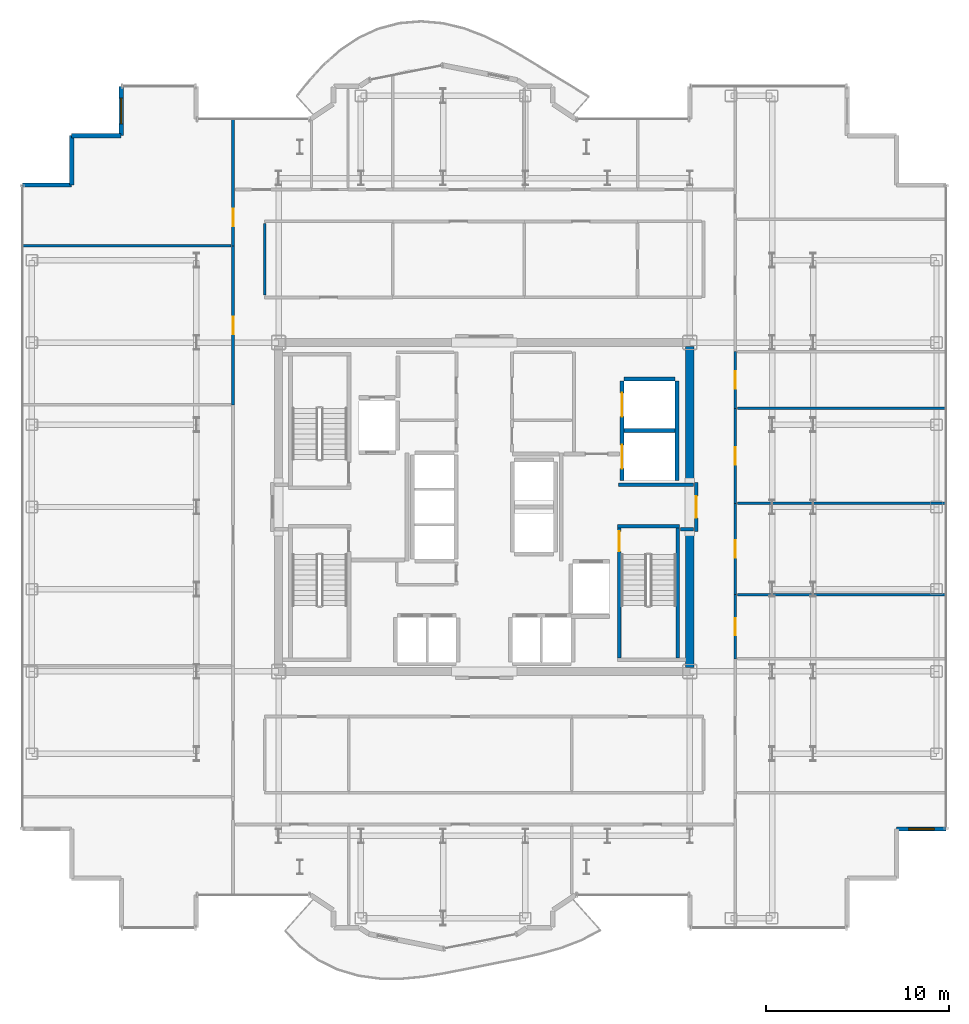
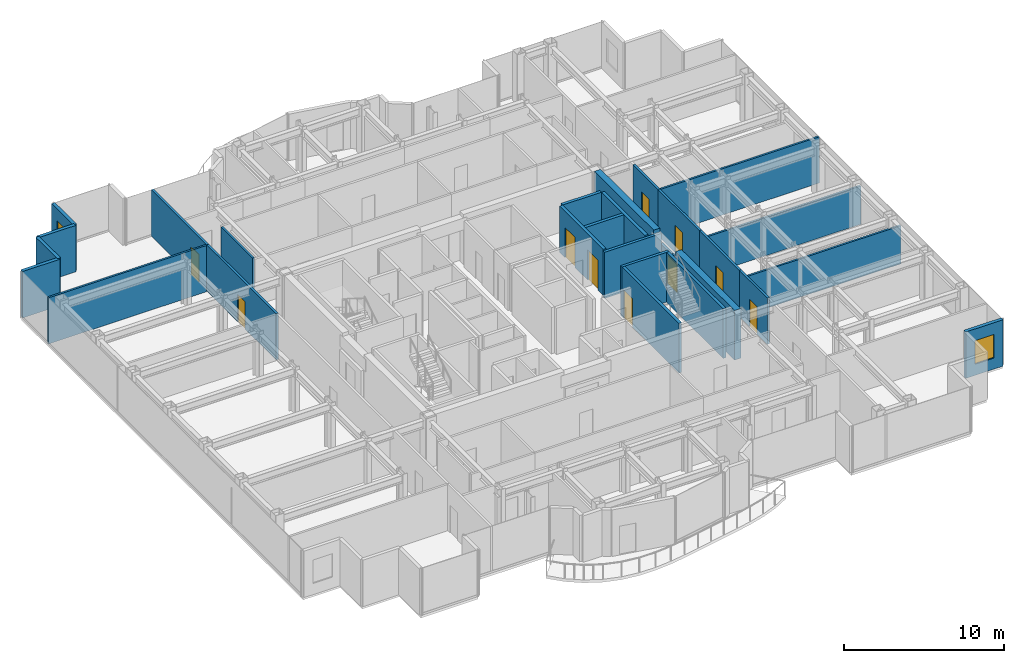
# One storey, part 17 of 21: 28 walls, 10 doors, 2 windows, 12 openings.
"""IFC4 building model written with IfcOpenShell, lengths in metres."""

from ifc_helpers import new_model, si_unit, direction, frame, frame_2d, origin, place, context, subcontext, project, spatial, rectangle, extrude, source, transform, mapped, material, layer, layer_set, type_object, element, fill, save


model = new_model("IFC4")

# Units and contexts
model_context = context("Model", 3, precision=1e-05, world=origin(), true_north=direction((0.0, 1.0)))
body_context = subcontext(model_context, "Body", "Model", "MODEL_VIEW")
ifc_project = project(units=[si_unit("LENGTHUNIT", "METRE"), si_unit("AREAUNIT", "SQUARE_METRE"), si_unit("VOLUMEUNIT", "CUBIC_METRE"), si_unit("PLANEANGLEUNIT", "RADIAN"), si_unit("MASSUNIT", "GRAM", prefix="KILO")], contexts=[model_context])

# Site, building, storey
site_placement = place(None, origin())
site = spatial("IfcSite", under=ifc_project, at=site_placement, CompositionType="ELEMENT")
building_placement = place(site_placement, origin())
building = spatial("IfcBuilding", under=site, at=building_placement, Name="Nefas-Gora Pilgrimage Tower", CompositionType="ELEMENT")
storey_placement = place(building_placement, frame((0.0, 0.0, 248.39990234375)))
storey = spatial("IfcBuildingStorey", under=building, at=storey_placement, Name="L62", CompositionType="ELEMENT", Elevation=248.39990234375)

# Walls
ifc_material_1 = material(Name="Concrete C50/60", Category="concrete")
ifc_layer_1 = layer(ifc_material_1, 0.449951171875)
ifc_layer_set_1 = layer_set([ifc_layer_1], Name="Concrete C50/60")
wall_type_1 = type_object("IfcWallType", Name="SW-CORE-450", PredefinedType="SHEAR", material=ifc_layer_set_1)
shared_shape_1 = source(origin(), body_context, "Body", "SweptSolid", [
    extrude(rectangle(XDim=7.4248046875, YDim=0.449951171875, at=frame_2d((3.71240234375, 0.0))), origin(), (0.0, 0.0, 1.0), 3.800048828125),
])
for number, where, z_axis, x_axis, name in (
    (1, (11.25, -8.77490234375, 0.0), (0.0, 0.0, 1.0), (0.0, 1.0, 0.0), "L62 Core Shear Wall E-South"),
    (2, (11.25, 1.35009765625, 0.0), (0.0, 0.0, 1.0), (0.0, 1.0, 0.0), "L62 Core Shear Wall E-North"),
):
    element("IfcWall", number, at=place(storey_placement, frame(where, z_axis=z_axis, x_axis=x_axis)), inside=storey, type_object=wall_type_1, Name=name, PredefinedType="SHEAR", context=body_context, shape_type="MappedRepresentation", body=[
        mapped(shared_shape_1, transform((0.0, 0.0, 0.0), x_axis=(1.0, 0.0, 0.0), y_axis=(0.0, 1.0, 0.0), z_axis=(0.0, 0.0, 1.0), scale=1.0)),
    ])

# Wall, opening, window
ifc_material_2 = material(Name="Precast concrete C45/55", Category="concrete")
ifc_layer_2 = layer(ifc_material_2, 0.239990234375)
ifc_layer_set_2 = layer_set([ifc_layer_2], Name="Precast concrete C45/55")
wall_type_2 = type_object("IfcWallType", Name="EW-SERR-240", PredefinedType="SHEAR", material=ifc_layer_set_2)
shared_shape_2 = source(origin(), body_context, "Body", "SweptSolid", [
    extrude(rectangle(XDim=2.699951171875, YDim=0.239990234375, at=frame_2d((1.35009765625, 0.0))), origin(), (0.0, 0.0, 1.0), 3.550048828125),
])
wall_1_placement = place(storey_placement, frame((22.570068359375, -17.6201171875, 0.0), z_axis=(0.0, 0.0, 1.0), x_axis=(1.0, 0.0, 0.0)))
wall_1 = element("IfcWall", 3, at=wall_1_placement, inside=storey, type_object=wall_type_2, Name="L62 Serrated Corner Shear Pier Wall 5", PredefinedType="SHEAR", context=body_context, shape_type="MappedRepresentation", body=[
    mapped(shared_shape_2, transform((0.0, 0.0, 0.0), x_axis=(1.0, 0.0, 0.0), y_axis=(0.0, 1.0, 0.0), z_axis=(0.0, 0.0, 1.0), scale=1.0)),
])
opening_1_placement = place(wall_1_placement, frame((0.64990234375, 0.0, 0.85009765625)))
opening_1 = element("IfcOpeningElement", 4, at=opening_1_placement, cuts=wall_1, Name="Opening W-V2", PredefinedType="OPENING", context=body_context, shape_type="SweptSolid", body=[
    extrude(rectangle(XDim=1.39990234375, YDim=1.800048828125, at=frame_2d((0.699951171875, 0.89990234375))), frame((0.0, 0.1298828125, 0.0), z_axis=(0.0, -1.0, 0.0), x_axis=(1.0, 0.0, 0.0)), (0.0, 0.0, 1.0), 0.260009765625),
])
ifc_material_3 = material(Name="Dark ceramic-fritted operable aluminium-glass window", Category="aluminium")
window_type = type_object("IfcWindowType", Name="WIN-VENT-1400x1800", PartitioningType="SINGLE_PANEL", PredefinedType="WINDOW", material=ifc_material_3)
shared_shape_3 = source(origin(), body_context, "Body", "SweptSolid", [
    extrude(rectangle(XDim=1.39990234375, YDim=1.800048828125, at=frame_2d((0.699951171875, 0.89990234375))), frame((0.0, 0.030029296875, 0.0), z_axis=(0.0, -1.0, 0.0), x_axis=(1.0, 0.0, 0.0)), (0.0, 0.0, 1.0), 0.06005859375),
])
window_1_placement = place(opening_1_placement, origin())
window_1 = element("IfcWindow", 5, at=window_1_placement, inside=storey, type_object=window_type, Name="L62 Operable Parallel-Outswing Window 5", OverallHeight=1.800048828125, OverallWidth=1.39990234375, PartitioningType="SINGLE_PANEL", PredefinedType="WINDOW", context=body_context, shape_type="MappedRepresentation", body=[
    mapped(shared_shape_3, transform((0.0, 0.0, 0.0), x_axis=(1.0, 0.0, 0.0), y_axis=(0.0, 1.0, 0.0), z_axis=(0.0, 0.0, 1.0), scale=1.0)),
])
fill(opening_1, window_1)

wall_2_placement = place(storey_placement, frame((-19.8701171875, 23.02001953125, 0.0), z_axis=(0.0, 0.0, 1.0), x_axis=(0.0, -1.0, 0.0)))
wall_2 = element("IfcWall", 6, at=wall_2_placement, inside=storey, type_object=wall_type_2, Name="L62 Serrated Corner Shear Pier Wall 21", PredefinedType="SHEAR", context=body_context, shape_type="MappedRepresentation", body=[
    mapped(shared_shape_2, transform((0.0, 0.0, 0.0), x_axis=(1.0, 0.0, 0.0), y_axis=(0.0, 1.0, 0.0), z_axis=(0.0, 0.0, 1.0), scale=1.0)),
])
opening_2_placement = place(wall_2_placement, frame((0.64990234375, 0.0, 0.85009765625)))
opening_2 = element("IfcOpeningElement", 7, at=opening_2_placement, cuts=wall_2, Name="Opening W-V2", PredefinedType="OPENING", context=body_context, shape_type="SweptSolid", body=[
    extrude(rectangle(XDim=1.39990234375, YDim=1.800048828125, at=frame_2d((0.699951171875, 0.89990234375))), frame((0.0, 0.1298828125, 0.0), z_axis=(0.0, -1.0, 0.0), x_axis=(1.0, 0.0, 0.0)), (0.0, 0.0, 1.0), 0.260009765625),
])
window_2_placement = place(opening_2_placement, origin())
window_2 = element("IfcWindow", 8, at=window_2_placement, inside=storey, type_object=window_type, Name="L62 Operable Parallel-Outswing Window 21", OverallHeight=1.800048828125, OverallWidth=1.39990234375, PartitioningType="SINGLE_PANEL", PredefinedType="WINDOW", context=body_context, shape_type="MappedRepresentation", body=[
    mapped(shared_shape_3, transform((0.0, 0.0, 0.0), x_axis=(1.0, 0.0, 0.0), y_axis=(0.0, 1.0, 0.0), z_axis=(0.0, 0.0, 1.0), scale=1.0)),
])
fill(opening_2, window_2)

# Walls
for number, where, z_axis, x_axis, name in (
    (9, (-19.8701171875, 20.320068359375, 0.0), (0.0, 0.0, 1.0), (-1.0, 0.0, 0.0), "L62 Serrated Corner Shear Pier Wall 22"),
    (10, (-22.570068359375, 20.320068359375, 0.0), (0.0, 0.0, 1.0), (0.0, -1.0, 0.0), "L62 Serrated Corner Shear Pier Wall 23"),
    (11, (-22.570068359375, 17.6201171875, 0.0), (0.0, 0.0, 1.0), (-1.0, 0.0, 0.0), "L62 Serrated Corner Shear Pier Wall 24"),
):
    element("IfcWall", number, at=place(storey_placement, frame(where, z_axis=z_axis, x_axis=x_axis)), inside=storey, type_object=wall_type_2, Name=name, PredefinedType="SHEAR", context=body_context, shape_type="MappedRepresentation", body=[
        mapped(shared_shape_2, transform((0.0, 0.0, 0.0), x_axis=(1.0, 0.0, 0.0), y_axis=(0.0, 1.0, 0.0), z_axis=(0.0, 0.0, 1.0), scale=1.0)),
    ])
ifc_material_4 = material(Name="Concrete C45/55", Category="concrete")
ifc_layer_3 = layer(ifc_material_4, 0.199951171875)
ifc_layer_set_3 = layer_set([ifc_layer_3], Name="Concrete C45/55")
wall_type_3 = type_object("IfcWallType", Name="IW-STAIR-200", PredefinedType="SOLIDWALL", material=ifc_layer_set_3)
shared_shape_4 = source(origin(), body_context, "Body", "SweptSolid", [
    extrude(rectangle(XDim=3.39990234375, YDim=0.199951171875, at=frame_2d((1.699951171875, 0.0))), origin(), (0.0, 0.0, 1.0), 3.800048828125),
])
wall_3_placement = place(storey_placement, frame((7.300048828125, -1.050048828125, 0.0), z_axis=(0.0, 0.0, 1.0), x_axis=(1.0, 0.0, 0.0)))
element("IfcWall", 12, at=wall_3_placement, inside=storey, type_object=wall_type_3, Name="L62 Stairwell Shear Wall ST-02-near", PredefinedType="SOLIDWALL", context=body_context, shape_type="MappedRepresentation", body=[
    mapped(shared_shape_4, transform((0.0, 0.0, 0.0), x_axis=(1.0, 0.0, 0.0), y_axis=(0.0, 1.0, 0.0), z_axis=(0.0, 0.0, 1.0), scale=1.0)),
])

# Wall, opening, door
shared_shape_5 = source(origin(), body_context, "Body", "SweptSolid", [
    extrude(rectangle(XDim=7.10009765625, YDim=0.199951171875, at=frame_2d((3.550048828125, 0.0))), origin(), (0.0, 0.0, 1.0), 3.800048828125),
])
wall_4_placement = place(storey_placement, frame((7.39990234375, -1.14990234375, 0.0), z_axis=(0.0, 0.0, 1.0), x_axis=(0.0, -1.0, 0.0)))
wall_4 = element("IfcWall", 13, at=wall_4_placement, inside=storey, type_object=wall_type_3, Name="L62 Stairwell Shear Wall ST-02-left", PredefinedType="SOLIDWALL", context=body_context, shape_type="MappedRepresentation", body=[
    mapped(shared_shape_5, transform((0.0, 0.0, 0.0), x_axis=(1.0, 0.0, 0.0), y_axis=(0.0, 1.0, 0.0), z_axis=(0.0, 0.0, 1.0), scale=1.0)),
])
opening_3_placement = place(wall_4_placement, frame((0.179931640625, 0.0, 0.0)))
opening_3 = element("IfcOpeningElement", 14, at=opening_3_placement, cuts=wall_4, Name="Opening ID-ST1", PredefinedType="OPENING", context=body_context, shape_type="SweptSolid", body=[
    extrude(rectangle(XDim=1.10009765625, YDim=2.14990234375, at=frame_2d((0.550048828125, 1.074951171875))), frame((0.0, 0.10986328125, 0.0), z_axis=(0.0, -1.0, 0.0), x_axis=(1.0, 0.0, 0.0)), (0.0, 0.0, 1.0), 0.219970703125),
])
ifc_material_5 = material(Name="Painted galvanised steel fire stair door", Category="steel")
door_type_1 = type_object("IfcDoorType", Name="DR-INT-STAIR-1100", OperationType="NOTDEFINED", PredefinedType="DOOR", material=ifc_material_5)
shared_shape_6 = source(origin(), body_context, "Body", "SweptSolid", [
    extrude(rectangle(XDim=1.10009765625, YDim=2.14990234375, at=frame_2d((0.550048828125, 1.074951171875))), frame((0.0, 0.02490234375, 0.0), z_axis=(0.0, -1.0, 0.0), x_axis=(1.0, 0.0, 0.0)), (0.0, 0.0, 1.0), 0.050048828125),
])
door_1_placement = place(opening_3_placement, origin())
door_1 = element("IfcDoor", 15, at=door_1_placement, inside=storey, type_object=door_type_1, Name="L62 Protected Exit Stair Door ST-02", OperationType="SINGLE_SWING_LEFT", OverallHeight=2.14990234375, OverallWidth=1.10009765625, PredefinedType="DOOR", context=body_context, shape_type="MappedRepresentation", body=[
    mapped(shared_shape_6, transform((0.0, 0.0, 0.0), x_axis=(1.0, 0.0, 0.0), y_axis=(0.0, 1.0, 0.0), z_axis=(0.0, 0.0, 1.0), scale=1.0)),
])
fill(opening_3, door_1)

# Wall
wall_5_placement = place(storey_placement, frame((10.60009765625, -1.14990234375, 0.0), z_axis=(0.0, 0.0, 1.0), x_axis=(0.0, -1.0, 0.0)))
element("IfcWall", 16, at=wall_5_placement, inside=storey, type_object=wall_type_3, Name="L62 Stairwell Shear Wall ST-02-right", PredefinedType="SOLIDWALL", context=body_context, shape_type="MappedRepresentation", body=[
    mapped(shared_shape_5, transform((0.0, 0.0, 0.0), x_axis=(1.0, 0.0, 0.0), y_axis=(0.0, 1.0, 0.0), z_axis=(0.0, 0.0, 1.0), scale=1.0)),
])

# Wall, openings, doors
ifc_material_6 = material(Name="Concrete C40/50", Category="concrete")
ifc_layer_4 = layer(ifc_material_6, 0.219970703125)
ifc_layer_set_4 = layer_set([ifc_layer_4], Name="Concrete C40/50")
wall_type_4 = type_object("IfcWallType", Name="IW-SHAFT-220", PredefinedType="SOLIDWALL", material=ifc_layer_set_4)
shared_shape_7 = source(origin(), body_context, "Body", "SweptSolid", [
    extrude(rectangle(XDim=5.449951171875, YDim=0.219970703125, at=frame_2d((2.72509765625, 0.0))), origin(), (0.0, 0.0, 1.0), 3.53515625),
])
wall_6_placement = place(storey_placement, frame((7.5400390625, 6.89990234375, 0.0), z_axis=(0.0, 0.0, 1.0), x_axis=(0.0, -1.0, 0.0)))
wall_6 = element("IfcWall", 17, at=wall_6_placement, inside=storey, type_object=wall_type_4, Name="L62 Hoistway Wall SL-01-02-W", PredefinedType="SOLIDWALL", context=body_context, shape_type="MappedRepresentation", body=[
    mapped(shared_shape_7, transform((0.0, 0.0, 0.0), x_axis=(1.0, 0.0, 0.0), y_axis=(0.0, 1.0, 0.0), z_axis=(0.0, 0.0, 1.0), scale=1.0)),
])
opening_4_placement = place(wall_6_placement, frame((3.5, 0.0, 0.0)))
opening_4 = element("IfcOpeningElement", 18, at=opening_4_placement, cuts=wall_6, Name="Opening LD-SV", PredefinedType="OPENING", context=body_context, shape_type="SweptSolid", body=[
    extrude(rectangle(XDim=1.300048828125, YDim=2.300048828125, at=frame_2d((0.64990234375, 1.14990234375))), frame((0.0, 0.119873046875, 0.0), z_axis=(0.0, -1.0, 0.0), x_axis=(1.0, 0.0, 0.0)), (0.0, 0.0, 1.0), 0.239990234375),
])
opening_5_placement = place(wall_6_placement, frame((0.64990234375, 0.0, 0.0)))
opening_5 = element("IfcOpeningElement", 19, at=opening_5_placement, cuts=wall_6, Name="Opening LD-SV", PredefinedType="OPENING", context=body_context, shape_type="SweptSolid", body=[
    extrude(rectangle(XDim=1.300048828125, YDim=2.300048828125, at=frame_2d((0.64990234375, 1.14990234375))), frame((0.0, 0.119873046875, 0.0), z_axis=(0.0, -1.0, 0.0), x_axis=(1.0, 0.0, 0.0)), (0.0, 0.0, 1.0), 0.239990234375),
])
ifc_material_7 = material(Name="Heavy goods sliding lift landing door")
door_type_2 = type_object("IfcDoorType", Name="DR-LIFT-SERV-1300", OperationType="SLIDING_TO_RIGHT", PredefinedType="DOOR", material=ifc_material_7)
shared_shape_8 = source(origin(), body_context, "Body", "SweptSolid", [
    extrude(rectangle(XDim=1.300048828125, YDim=2.300048828125, at=frame_2d((0.64990234375, 1.14990234375))), frame((0.0, 0.02490234375, 0.0), z_axis=(0.0, -1.0, 0.0), x_axis=(1.0, 0.0, 0.0)), (0.0, 0.0, 1.0), 0.050048828125),
])
door_2_placement = place(opening_4_placement, origin())
door_2 = element("IfcDoor", 20, at=door_2_placement, inside=storey, type_object=door_type_2, Name="L62 Sliding Lift Landing Door SL-01", OperationType="SLIDING_TO_RIGHT", OverallHeight=2.300048828125, OverallWidth=1.300048828125, PredefinedType="DOOR", context=body_context, shape_type="MappedRepresentation", body=[
    mapped(shared_shape_8, transform((0.0, 0.0, 0.0), x_axis=(1.0, 0.0, 0.0), y_axis=(0.0, 1.0, 0.0), z_axis=(0.0, 0.0, 1.0), scale=1.0)),
])
fill(opening_4, door_2)
door_3_placement = place(opening_5_placement, origin())
door_3 = element("IfcDoor", 21, at=door_3_placement, inside=storey, type_object=door_type_2, Name="L62 Sliding Lift Landing Door SL-02", OperationType="SLIDING_TO_RIGHT", OverallHeight=2.300048828125, OverallWidth=1.300048828125, PredefinedType="DOOR", context=body_context, shape_type="MappedRepresentation", body=[
    mapped(shared_shape_8, transform((0.0, 0.0, 0.0), x_axis=(1.0, 0.0, 0.0), y_axis=(0.0, 1.0, 0.0), z_axis=(0.0, 0.0, 1.0), scale=1.0)),
])
fill(opening_5, door_3)

# Walls
wall_7_placement = place(storey_placement, frame((10.56005859375, 1.449951171875, 0.0), z_axis=(0.0, 0.0, 1.0), x_axis=(0.0, 1.0, 0.0)))
element("IfcWall", 22, at=wall_7_placement, inside=storey, type_object=wall_type_4, Name="L62 Hoistway Wall SL-01-02-E", PredefinedType="SOLIDWALL", context=body_context, shape_type="MappedRepresentation", body=[
    mapped(shared_shape_7, transform((0.0, 0.0, 0.0), x_axis=(1.0, 0.0, 0.0), y_axis=(0.0, 1.0, 0.0), z_axis=(0.0, 0.0, 1.0), scale=1.0)),
])
shared_shape_9 = source(origin(), body_context, "Body", "SweptSolid", [
    extrude(rectangle(XDim=2.780029296875, YDim=0.219970703125, at=frame_2d((1.39013671875, 0.0))), origin(), (0.0, 0.0, 1.0), 3.53515625),
])
for number, where, z_axis, x_axis, name in (
    (23, (7.659912109375, 4.175048828125, 0.0), (0.0, 0.0, 1.0), (1.0, 0.0, 0.0), "L62 Hoistway Wall SL-01-02-DIV"),
    (24, (10.43994140625, 7.010009765625, 0.0), (0.0, 0.0, 1.0), (-1.0, 0.0, 0.0), "L62 Hoistway Wall SL-02-N"),
):
    element("IfcWall", number, at=place(storey_placement, frame(where, z_axis=z_axis, x_axis=x_axis)), inside=storey, type_object=wall_type_4, Name=name, PredefinedType="SOLIDWALL", context=body_context, shape_type="MappedRepresentation", body=[
        mapped(shared_shape_9, transform((0.0, 0.0, 0.0), x_axis=(1.0, 0.0, 0.0), y_axis=(0.0, 1.0, 0.0), z_axis=(0.0, 0.0, 1.0), scale=1.0)),
    ])
ifc_material_8 = material(Name="Gypsum fire-rated shaftwall")
ifc_layer_5 = layer(ifc_material_8, 0.199951171875)
ifc_layer_set_5 = layer_set([ifc_layer_5], Name="Gypsum fire-rated shaftwall")
wall_type_5 = type_object("IfcWallType", Name="IW-FFLOB-200", PredefinedType="PARTITIONING", material=ifc_layer_set_5)
shared_shape_10 = source(origin(), body_context, "Body", "SweptSolid", [
    extrude(rectangle(XDim=0.719970703125, YDim=0.199951171875, at=frame_2d((0.35986328125, 0.0))), origin(), (0.0, 0.0, 1.0), 3.53515625),
])
wall_8_placement = place(storey_placement, frame((10.739990234375, -1.219970703125, 0.0), z_axis=(0.0, 0.0, 1.0), x_axis=(1.0, 0.0, 0.0)))
element("IfcWall", 25, at=wall_8_placement, inside=storey, type_object=wall_type_5, Name="L62 FF Lobby East Throat S Wall 14", PredefinedType="PARTITIONING", context=body_context, shape_type="MappedRepresentation", body=[
    mapped(shared_shape_10, transform((0.0, 0.0, 0.0), x_axis=(1.0, 0.0, 0.0), y_axis=(0.0, 1.0, 0.0), z_axis=(0.0, 0.0, 1.0), scale=1.0)),
])
shared_shape_11 = source(origin(), body_context, "Body", "SweptSolid", [
    extrude(rectangle(XDim=4.10986328125, YDim=0.199951171875, at=frame_2d((2.054931640625, 0.0))), origin(), (0.0, 0.0, 1.0), 3.53515625),
])
wall_9_placement = place(storey_placement, frame((7.35009765625, 1.219970703125, 0.0), z_axis=(0.0, 0.0, 1.0), x_axis=(1.0, 0.0, 0.0)))
element("IfcWall", 26, at=wall_9_placement, inside=storey, type_object=wall_type_5, Name="L62 FF Lobby East Throat N Wall 13", PredefinedType="PARTITIONING", context=body_context, shape_type="MappedRepresentation", body=[
    mapped(shared_shape_11, transform((0.0, 0.0, 0.0), x_axis=(1.0, 0.0, 0.0), y_axis=(0.0, 1.0, 0.0), z_axis=(0.0, 0.0, 1.0), scale=1.0)),
])
ifc_material_9 = material(Name="Gypsum twin-stud partition")
ifc_layer_6 = layer(ifc_material_9, 0.139892578125)
ifc_layer_set_6 = layer_set([ifc_layer_6], Name="Gypsum twin-stud partition")
wall_type_6 = type_object("IfcWallType", Name="IW-UNIT-140", PredefinedType="PARTITIONING", material=ifc_layer_set_6)
shared_shape_12 = source(origin(), body_context, "Body", "SweptSolid", [
    extrude(rectangle(XDim=11.429931640625, YDim=0.139892578125, at=frame_2d((5.71484375, 0.0))), origin(), (0.0, 0.0, 1.0), 3.53515625),
])
for number, where, z_axis, x_axis, name in (
    (27, (-25.2900390625, 14.297607421875, 0.0), (0.0, 0.0, 1.0), (1.0, 0.0, 0.0), "L62 Pilgrim Tea and Beverage Pantry Partition Wall 39"),
    (28, (13.860107421875, 5.39501953125, 0.0), (0.0, 0.0, 1.0), (1.0, 0.0, 0.0), "L62 Pilgrim Contemplative Lounge Partition Wall 50"),
):
    element("IfcWall", number, at=place(storey_placement, frame(where, z_axis=z_axis, x_axis=x_axis)), inside=storey, type_object=wall_type_6, Name=name, PredefinedType="PARTITIONING", context=body_context, shape_type="MappedRepresentation", body=[
        mapped(shared_shape_12, transform((0.0, 0.0, 0.0), x_axis=(1.0, 0.0, 0.0), y_axis=(0.0, 1.0, 0.0), z_axis=(0.0, 0.0, 1.0), scale=1.0)),
    ])
shared_shape_13 = source(origin(), body_context, "Body", "SweptSolid", [
    extrude(rectangle(XDim=3.929931640625, YDim=0.139892578125, at=frame_2d((1.96484375, 0.0))), origin(), (0.0, 0.0, 1.0), 3.53515625),
])
wall_10_placement = place(storey_placement, frame((-12.0, 11.590087890625, 0.0), z_axis=(0.0, 0.0, 1.0), x_axis=(0.0, 1.0, 0.0)))
element("IfcWall", 29, at=wall_10_placement, inside=storey, type_object=wall_type_6, Name="L62 Pilgrim Contemplative Lounge Partition Wall 58", PredefinedType="PARTITIONING", context=body_context, shape_type="MappedRepresentation", body=[
    mapped(shared_shape_13, transform((0.0, 0.0, 0.0), x_axis=(1.0, 0.0, 0.0), y_axis=(0.0, 1.0, 0.0), z_axis=(0.0, 0.0, 1.0), scale=1.0)),
])

# Wall, opening, door
ifc_material_10 = material(Name="Gypsum acoustic stud partition")
ifc_layer_7 = layer(ifc_material_10, 0.159912109375)
ifc_layer_set_7 = layer_set([ifc_layer_7], Name="Gypsum acoustic stud partition")
wall_type_7 = type_object("IfcWallType", Name="IW-CORR-160", PredefinedType="PARTITIONING", material=ifc_layer_set_7)
shared_shape_14 = source(origin(), body_context, "Body", "SweptSolid", [
    extrude(rectangle(XDim=5.010009765625, YDim=0.159912109375, at=frame_2d((2.5048828125, 0.0))), origin(), (0.0, 0.0, 1.0), 3.53515625),
])
wall_11_placement = place(storey_placement, frame((13.739990234375, -4.804931640625, 0.0), z_axis=(0.0, 0.0, 1.0), x_axis=(0.0, 1.0, 0.0)))
wall_11 = element("IfcWall", 30, at=wall_11_placement, inside=storey, type_object=wall_type_7, Name="L62 Pilgrim Fellowship Seminar Room Partition Wall 47", PredefinedType="PARTITIONING", context=body_context, shape_type="MappedRepresentation", body=[
    mapped(shared_shape_14, transform((0.0, 0.0, 0.0), x_axis=(1.0, 0.0, 0.0), y_axis=(0.0, 1.0, 0.0), z_axis=(0.0, 0.0, 1.0), scale=1.0)),
])
opening_6_placement = place(wall_11_placement, frame((2.030029296875, 0.0, 0.0)))
opening_6 = element("IfcOpeningElement", 31, at=opening_6_placement, cuts=wall_11, Name="Opening ID-GR1", PredefinedType="OPENING", context=body_context, shape_type="SweptSolid", body=[
    extrude(rectangle(XDim=0.949951171875, YDim=2.10009765625, at=frame_2d((0.47509765625, 1.050048828125))), frame((0.0, 0.08984375, 0.0), z_axis=(0.0, -1.0, 0.0), x_axis=(1.0, 0.0, 0.0)), (0.0, 0.0, 1.0), 0.179931640625),
])
ifc_material_11 = material(Name="Solid core oak fire-rated guest entrance door")
door_type_3 = type_object("IfcDoorType", Name="DR-INT-GUEST-950", OperationType="NOTDEFINED", PredefinedType="DOOR", material=ifc_material_11)
shared_shape_15 = source(origin(), body_context, "Body", "SweptSolid", [
    extrude(rectangle(XDim=0.949951171875, YDim=2.10009765625, at=frame_2d((0.47509765625, 1.050048828125))), frame((0.0, 0.02490234375, 0.0), z_axis=(0.0, -1.0, 0.0), x_axis=(1.0, 0.0, 0.0)), (0.0, 0.0, 1.0), 0.050048828125),
])
door_4_placement = place(opening_6_placement, origin())
door_4 = element("IfcDoor", 32, at=door_4_placement, inside=storey, type_object=door_type_3, Name="L62 Pilgrim Fellowship Seminar Room Door 21", OperationType="SINGLE_SWING_LEFT", OverallHeight=2.10009765625, OverallWidth=0.949951171875, PredefinedType="DOOR", context=body_context, shape_type="MappedRepresentation", body=[
    mapped(shared_shape_15, transform((0.0, 0.0, 0.0), x_axis=(1.0, 0.0, 0.0), y_axis=(0.0, 1.0, 0.0), z_axis=(0.0, 0.0, 1.0), scale=1.0)),
])
fill(opening_6, door_4)

shared_shape_16 = source(origin(), body_context, "Body", "SweptSolid", [
    extrude(rectangle(XDim=2.7001953125, YDim=0.199951171875, at=frame_2d((1.35009765625, 0.0))), origin(), (0.0, 0.0, 1.0), 2.625),
])
wall_12_placement = place(storey_placement, frame((11.60009765625, -1.35009765625, 0.0), z_axis=(0.0, 0.0, 1.0), x_axis=(0.0, 1.0, 0.0)))
wall_12 = element("IfcWall", 33, at=wall_12_placement, inside=storey, type_object=wall_type_5, Name="L62 FF Lobby East Portal Wall 9", PredefinedType="PARTITIONING", context=body_context, shape_type="MappedRepresentation", body=[
    mapped(shared_shape_16, transform((0.0, 0.0, 0.0), x_axis=(1.0, 0.0, 0.0), y_axis=(0.0, 1.0, 0.0), z_axis=(0.0, 0.0, 1.0), scale=1.0)),
])
opening_7_placement = place(wall_12_placement, frame((0.75, 0.0, 0.0)))
opening_7 = element("IfcOpeningElement", 34, at=opening_7_placement, cuts=wall_12, Name="Opening ID-FF1", PredefinedType="OPENING", context=body_context, shape_type="SweptSolid", body=[
    extrude(rectangle(XDim=1.199951171875, YDim=2.14990234375, at=frame_2d((0.60009765625, 1.074951171875))), frame((0.0, 0.10986328125, 0.0), z_axis=(0.0, -1.0, 0.0), x_axis=(1.0, 0.0, 0.0)), (0.0, 0.0, 1.0), 0.219970703125),
])
ifc_material_12 = material(Name="Smoke-sealed steel firefighting lobby door", Category="steel")
door_type_4 = type_object("IfcDoorType", Name="DR-INT-FFLOB-1200", OperationType="NOTDEFINED", PredefinedType="DOOR", material=ifc_material_12)
shared_shape_17 = source(origin(), body_context, "Body", "SweptSolid", [
    extrude(rectangle(XDim=1.199951171875, YDim=2.14990234375, at=frame_2d((0.60009765625, 1.074951171875))), frame((0.0, 0.02490234375, 0.0), z_axis=(0.0, -1.0, 0.0), x_axis=(1.0, 0.0, 0.0)), (0.0, 0.0, 1.0), 0.050048828125),
])
door_5_placement = place(opening_7_placement, origin())
door_5 = element("IfcDoor", 35, at=door_5_placement, inside=storey, type_object=door_type_4, Name="L62 FF Lobby East Portal Door 3", OperationType="SINGLE_SWING_LEFT", OverallHeight=2.14990234375, OverallWidth=1.199951171875, PredefinedType="DOOR", context=body_context, shape_type="MappedRepresentation", body=[
    mapped(shared_shape_17, transform((0.0, 0.0, 0.0), x_axis=(1.0, 0.0, 0.0), y_axis=(0.0, 1.0, 0.0), z_axis=(0.0, 0.0, 1.0), scale=1.0)),
])
fill(opening_7, door_5)

# Walls
shared_shape_18 = source(origin(), body_context, "Body", "SweptSolid", [
    extrude(rectangle(XDim=11.429931640625, YDim=0.139892578125, at=frame_2d((5.71484375, 0.0))), origin(), (0.0, 0.0, 1.0), 2.925048828125),
])
for number, where, z_axis, x_axis, name in (
    (36, (13.860107421875, -4.804931640625, 0.0), (0.0, 0.0, 1.0), (1.0, 0.0, 0.0), "L62 Pastoral Chaplains Counselling Office Partition Wall 46"),
    (37, (13.860107421875, 0.195068359375, 0.0), (0.0, 0.0, 1.0), (1.0, 0.0, 0.0), "L62 Pilgrim Fellowship Seminar Room Partition Wall 48"),
):
    element("IfcWall", number, at=place(storey_placement, frame(where, z_axis=z_axis, x_axis=x_axis)), inside=storey, type_object=wall_type_6, Name=name, PredefinedType="PARTITIONING", context=body_context, shape_type="MappedRepresentation", body=[
        mapped(shared_shape_18, transform((0.0, 0.0, 0.0), x_axis=(1.0, 0.0, 0.0), y_axis=(0.0, 1.0, 0.0), z_axis=(0.0, 0.0, 1.0), scale=1.0)),
    ])

# Wall, opening, door
shared_shape_19 = source(origin(), body_context, "Body", "SweptSolid", [
    extrude(rectangle(XDim=6.952392578125, YDim=0.159912109375, at=frame_2d((3.47607421875, 0.0))), origin(), (0.0, 0.0, 1.0), 3.53515625),
])
wall_13_placement = place(storey_placement, frame((-13.739990234375, 14.28759765625, 0.0), z_axis=(0.0, 0.0, 1.0), x_axis=(0.0, 1.0, 0.0)))
wall_13 = element("IfcWall", 38, at=wall_13_placement, inside=storey, type_object=wall_type_7, Name="L62 Pilgrim Tea and Beverage Pantry Partition Wall 38", PredefinedType="PARTITIONING", context=body_context, shape_type="MappedRepresentation", body=[
    mapped(shared_shape_19, transform((0.0, 0.0, 0.0), x_axis=(1.0, 0.0, 0.0), y_axis=(0.0, 1.0, 0.0), z_axis=(0.0, 0.0, 1.0), scale=1.0)),
])
opening_8_placement = place(wall_13_placement, frame((1.086181640625, 0.0, 0.0)))
opening_8 = element("IfcOpeningElement", 39, at=opening_8_placement, cuts=wall_13, Name="Opening ID-GR1", PredefinedType="OPENING", context=body_context, shape_type="SweptSolid", body=[
    extrude(rectangle(XDim=0.949951171875, YDim=2.10009765625, at=frame_2d((0.47509765625, 1.050048828125))), frame((0.0, 0.08984375, 0.0), z_axis=(0.0, -1.0, 0.0), x_axis=(1.0, 0.0, 0.0)), (0.0, 0.0, 1.0), 0.179931640625),
])
door_6_placement = place(opening_8_placement, origin())
door_6 = element("IfcDoor", 40, at=door_6_placement, inside=storey, type_object=door_type_3, Name="L62 Pilgrim Tea and Beverage Pantry Door 16", OperationType="SINGLE_SWING_RIGHT", OverallHeight=2.10009765625, OverallWidth=0.949951171875, PredefinedType="DOOR", context=body_context, shape_type="MappedRepresentation", body=[
    mapped(shared_shape_15, transform((0.0, 0.0, 0.0), x_axis=(1.0, 0.0, 0.0), y_axis=(0.0, 1.0, 0.0), z_axis=(0.0, 0.0, 1.0), scale=1.0)),
])
fill(opening_8, door_6)

shared_shape_20 = source(origin(), body_context, "Body", "SweptSolid", [
    extrude(rectangle(XDim=8.692626953125, YDim=0.159912109375, at=frame_2d((4.34619140625, 0.0))), origin(), (0.0, 0.0, 1.0), 3.53515625),
])
wall_14_placement = place(storey_placement, frame((-13.739990234375, 5.594970703125, 0.0), z_axis=(0.0, 0.0, 1.0), x_axis=(0.0, 1.0, 0.0)))
wall_14 = element("IfcWall", 41, at=wall_14_placement, inside=storey, type_object=wall_type_7, Name="L62 Pilgrim Tea and Beverage Pantry Partition Wall 40", PredefinedType="PARTITIONING", context=body_context, shape_type="MappedRepresentation", body=[
    mapped(shared_shape_20, transform((0.0, 0.0, 0.0), x_axis=(1.0, 0.0, 0.0), y_axis=(0.0, 1.0, 0.0), z_axis=(0.0, 0.0, 1.0), scale=1.0)),
])
opening_9_placement = place(wall_14_placement, frame((3.87109375, 0.0, 0.0)))
opening_9 = element("IfcOpeningElement", 42, at=opening_9_placement, cuts=wall_14, Name="Opening ID-GR1", PredefinedType="OPENING", context=body_context, shape_type="SweptSolid", body=[
    extrude(rectangle(XDim=0.949951171875, YDim=2.10009765625, at=frame_2d((0.47509765625, 1.050048828125))), frame((0.0, 0.08984375, 0.0), z_axis=(0.0, -1.0, 0.0), x_axis=(1.0, 0.0, 0.0)), (0.0, 0.0, 1.0), 0.179931640625),
])
door_7_placement = place(opening_9_placement, origin())
door_7 = element("IfcDoor", 43, at=door_7_placement, inside=storey, type_object=door_type_3, Name="L62 Pilgrim Tea and Beverage Pantry Door 17", OperationType="SINGLE_SWING_LEFT", OverallHeight=2.10009765625, OverallWidth=0.949951171875, PredefinedType="DOOR", context=body_context, shape_type="MappedRepresentation", body=[
    mapped(shared_shape_15, transform((0.0, 0.0, 0.0), x_axis=(1.0, 0.0, 0.0), y_axis=(0.0, 1.0, 0.0), z_axis=(0.0, 0.0, 1.0), scale=1.0)),
])
fill(opening_9, door_7)

shared_shape_21 = source(origin(), body_context, "Body", "SweptSolid", [
    extrude(rectangle(XDim=3.510009765625, YDim=0.159912109375, at=frame_2d((1.7548828125, 0.0))), origin(), (0.0, 0.0, 1.0), 3.53515625),
])
wall_15_placement = place(storey_placement, frame((13.739990234375, -8.304931640625, 0.0), z_axis=(0.0, 0.0, 1.0), x_axis=(0.0, 1.0, 0.0)))
wall_15 = element("IfcWall", 44, at=wall_15_placement, inside=storey, type_object=wall_type_7, Name="L62 Pastoral Chaplains Counselling Office Partition Wall 45", PredefinedType="PARTITIONING", context=body_context, shape_type="MappedRepresentation", body=[
    mapped(shared_shape_21, transform((0.0, 0.0, 0.0), x_axis=(1.0, 0.0, 0.0), y_axis=(0.0, 1.0, 0.0), z_axis=(0.0, 0.0, 1.0), scale=1.0)),
])
opening_10_placement = place(wall_15_placement, frame((1.280029296875, 0.0, 0.0)))
opening_10 = element("IfcOpeningElement", 45, at=opening_10_placement, cuts=wall_15, Name="Opening ID-GR1", PredefinedType="OPENING", context=body_context, shape_type="SweptSolid", body=[
    extrude(rectangle(XDim=0.949951171875, YDim=2.10009765625, at=frame_2d((0.47509765625, 1.050048828125))), frame((0.0, 0.08984375, 0.0), z_axis=(0.0, -1.0, 0.0), x_axis=(1.0, 0.0, 0.0)), (0.0, 0.0, 1.0), 0.179931640625),
])
door_8_placement = place(opening_10_placement, origin())
door_8 = element("IfcDoor", 46, at=door_8_placement, inside=storey, type_object=door_type_3, Name="L62 Pastoral Chaplains Counselling Office Door 20", OperationType="SINGLE_SWING_RIGHT", OverallHeight=2.10009765625, OverallWidth=0.949951171875, PredefinedType="DOOR", context=body_context, shape_type="MappedRepresentation", body=[
    mapped(shared_shape_15, transform((0.0, 0.0, 0.0), x_axis=(1.0, 0.0, 0.0), y_axis=(0.0, 1.0, 0.0), z_axis=(0.0, 0.0, 1.0), scale=1.0)),
])
fill(opening_10, door_8)

shared_shape_22 = source(origin(), body_context, "Body", "SweptSolid", [
    extrude(rectangle(XDim=5.2099609375, YDim=0.159912109375, at=frame_2d((2.60498046875, 0.0))), origin(), (0.0, 0.0, 1.0), 3.53515625),
])
wall_16_placement = place(storey_placement, frame((13.739990234375, 0.195068359375, 0.0), z_axis=(0.0, 0.0, 1.0), x_axis=(0.0, 1.0, 0.0)))
wall_16 = element("IfcWall", 47, at=wall_16_placement, inside=storey, type_object=wall_type_7, Name="L62 Pilgrim Contemplative Lounge Partition Wall 49", PredefinedType="PARTITIONING", context=body_context, shape_type="MappedRepresentation", body=[
    mapped(shared_shape_22, transform((0.0, 0.0, 0.0), x_axis=(1.0, 0.0, 0.0), y_axis=(0.0, 1.0, 0.0), z_axis=(0.0, 0.0, 1.0), scale=1.0)),
])
opening_11_placement = place(wall_16_placement, frame((2.1298828125, 0.0, 0.0)))
opening_11 = element("IfcOpeningElement", 48, at=opening_11_placement, cuts=wall_16, Name="Opening ID-GR1", PredefinedType="OPENING", context=body_context, shape_type="SweptSolid", body=[
    extrude(rectangle(XDim=0.949951171875, YDim=2.10009765625, at=frame_2d((0.47509765625, 1.050048828125))), frame((0.0, 0.08984375, 0.0), z_axis=(0.0, -1.0, 0.0), x_axis=(1.0, 0.0, 0.0)), (0.0, 0.0, 1.0), 0.179931640625),
])
door_9_placement = place(opening_11_placement, origin())
door_9 = element("IfcDoor", 49, at=door_9_placement, inside=storey, type_object=door_type_3, Name="L62 Pilgrim Contemplative Lounge Door 22", OperationType="SINGLE_SWING_RIGHT", OverallHeight=2.10009765625, OverallWidth=0.949951171875, PredefinedType="DOOR", context=body_context, shape_type="MappedRepresentation", body=[
    mapped(shared_shape_15, transform((0.0, 0.0, 0.0), x_axis=(1.0, 0.0, 0.0), y_axis=(0.0, 1.0, 0.0), z_axis=(0.0, 0.0, 1.0), scale=1.0)),
])
fill(opening_11, door_9)

shared_shape_23 = source(origin(), body_context, "Body", "SweptSolid", [
    extrude(rectangle(XDim=3.10986328125, YDim=0.159912109375, at=frame_2d((1.554931640625, 0.0))), origin(), (0.0, 0.0, 1.0), 3.53515625),
])
wall_17_placement = place(storey_placement, frame((13.739990234375, 5.39501953125, 0.0), z_axis=(0.0, 0.0, 1.0), x_axis=(0.0, 1.0, 0.0)))
wall_17 = element("IfcWall", 50, at=wall_17_placement, inside=storey, type_object=wall_type_7, Name="L62 Scripture Reading Study Partition Wall 51", PredefinedType="PARTITIONING", context=body_context, shape_type="MappedRepresentation", body=[
    mapped(shared_shape_23, transform((0.0, 0.0, 0.0), x_axis=(1.0, 0.0, 0.0), y_axis=(0.0, 1.0, 0.0), z_axis=(0.0, 0.0, 1.0), scale=1.0)),
])
opening_12_placement = place(wall_17_placement, frame((1.080078125, 0.0, 0.0)))
opening_12 = element("IfcOpeningElement", 51, at=opening_12_placement, cuts=wall_17, Name="Opening ID-GR1", PredefinedType="OPENING", context=body_context, shape_type="SweptSolid", body=[
    extrude(rectangle(XDim=0.949951171875, YDim=2.10009765625, at=frame_2d((0.47509765625, 1.050048828125))), frame((0.0, 0.08984375, 0.0), z_axis=(0.0, -1.0, 0.0), x_axis=(1.0, 0.0, 0.0)), (0.0, 0.0, 1.0), 0.179931640625),
])
door_10_placement = place(opening_12_placement, origin())
door_10 = element("IfcDoor", 52, at=door_10_placement, inside=storey, type_object=door_type_3, Name="L62 Scripture Reading Study Door 23", OperationType="SINGLE_SWING_LEFT", OverallHeight=2.10009765625, OverallWidth=0.949951171875, PredefinedType="DOOR", context=body_context, shape_type="MappedRepresentation", body=[
    mapped(shared_shape_15, transform((0.0, 0.0, 0.0), x_axis=(1.0, 0.0, 0.0), y_axis=(0.0, 1.0, 0.0), z_axis=(0.0, 0.0, 1.0), scale=1.0)),
])
fill(opening_12, door_10)

save(model, "model.ifc")
